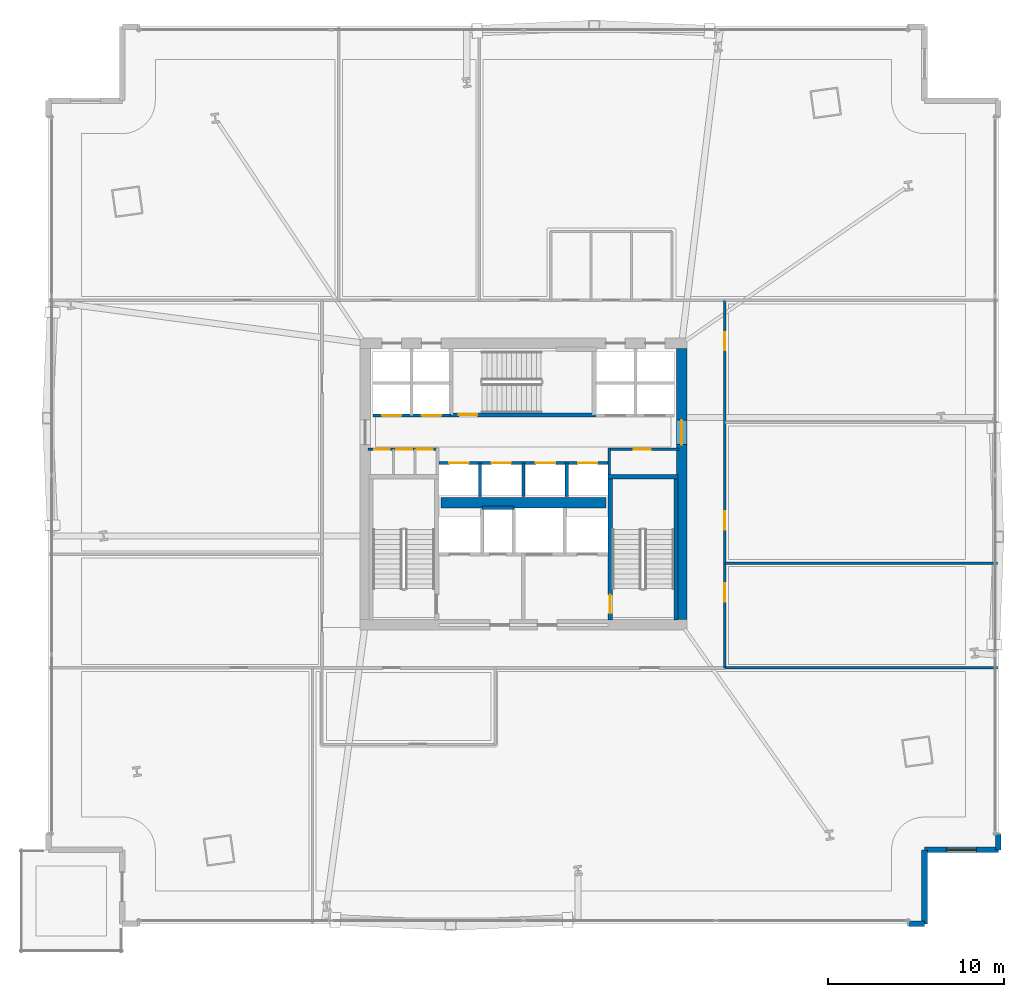
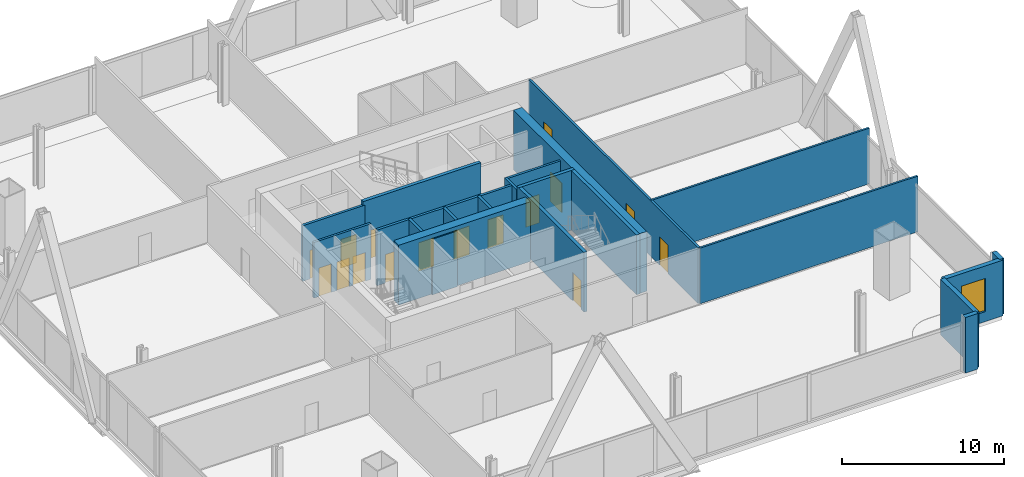
# One storey, part 21 of 29: 22 walls, 16 doors, 1 window, 17 openings.
"""IFC4 building model written with IfcOpenShell, lengths in metres."""

from ifc_helpers import new_model, si_unit, direction, frame, frame_2d, origin, place, context, subcontext, project, spatial, rectangle, extrude, material, layer, layer_set, type_object, element, fill, save


model = new_model("IFC4")

# Units and contexts
model_context = context("Model", 3, precision=1e-05, world=origin(), true_north=direction((0.0, 1.0)))
body_context = subcontext(model_context, "Body", "Model", "MODEL_VIEW")
ifc_project = project(units=[si_unit("LENGTHUNIT", "METRE"), si_unit("AREAUNIT", "SQUARE_METRE"), si_unit("VOLUMEUNIT", "CUBIC_METRE"), si_unit("PLANEANGLEUNIT", "RADIAN"), si_unit("MASSUNIT", "GRAM", prefix="KILO")], contexts=[model_context])

# Site, building, storey
site_placement = place(None, origin())
site = spatial("IfcSite", under=ifc_project, at=site_placement, CompositionType="ELEMENT")
building_placement = place(site_placement, origin())
building = spatial("IfcBuilding", under=site, at=building_placement, Name="Haldenkirk Collegiate Tower", CompositionType="ELEMENT")
storey_placement = place(building_placement, frame((0.0, 0.0, 28.199951171875)))
storey = spatial("IfcBuildingStorey", under=building, at=storey_placement, Name="L05", CompositionType="ELEMENT", Elevation=28.199951171875)

# Wall, opening, door
ifc_material_1 = material(Name="Concrete f'c 70 MPa", Category="concrete")
ifc_layer_1 = layer(ifc_material_1, 0.60009765625)
ifc_layer_set_1 = layer_set([ifc_layer_1], Name="Concrete f'c 70 MPa")
wall_type_1 = type_object("IfcWallType", Name="WL-CORE-600", PredefinedType="SHEAR", material=ifc_layer_set_1)
wall_1_placement = place(storey_placement, frame((45.0, 18.300048828125, 0.0), z_axis=(0.0, 0.0, 1.0), x_axis=(0.0, 1.0, 0.0)))
wall_1 = element("IfcWall", 1, at=wall_1_placement, inside=storey, type_object=wall_type_1, Name="L05 central core shear wall E", PredefinedType="SHEAR", context=body_context, shape_type="SweptSolid", body=[
    extrude(rectangle(XDim=15.39990234375, YDim=0.60009765625, at=frame_2d((7.699951171875, 0.0))), origin(), (0.0, 0.0, 1.0), 4.5),
])
opening_1_placement = place(wall_1_placement, frame((9.93994140625, 0.0, 0.0)))
opening_1 = element("IfcOpeningElement", 2, at=opening_1_placement, cuts=wall_1, Name="Opening D-03", PredefinedType="OPENING", context=body_context, shape_type="SweptSolid", body=[
    extrude(rectangle(XDim=1.39990234375, YDim=2.199951171875, at=frame_2d((0.699951171875, 1.10009765625))), frame((0.0, 0.31005859375, 0.0), z_axis=(0.0, -1.0, 0.0), x_axis=(1.0, 0.0, 0.0)), (0.0, 0.0, 1.0), 0.6201171875),
])
ifc_material_2 = material(Name="Galvanized fire-rated hollow steel door", Category="steel")
ifc_layer_2 = layer(ifc_material_2, 0.06005859375)
ifc_layer_set_2 = layer_set([ifc_layer_2], Name="Galvanized fire-rated hollow steel door")
door_type_1 = type_object("IfcDoorType", Name="DR-LOBBY-FD90-1400", OperationType="NOTDEFINED", PredefinedType="DOOR", material=ifc_layer_set_2)
door_1_placement = place(opening_1_placement, origin())
door_1 = element("IfcDoor", 3, at=door_1_placement, inside=storey, type_object=door_type_1, Name="L05 east lift lobby portal", OperationType="DOUBLE_DOOR_SINGLE_SWING", OverallHeight=2.199951171875, OverallWidth=1.39990234375, PredefinedType="DOOR", context=body_context, shape_type="SweptSolid", body=[
    extrude(rectangle(XDim=1.39990234375, YDim=2.199951171875, at=frame_2d((0.699951171875, 1.10009765625))), frame((0.0, 0.02490234375, 0.0), z_axis=(0.0, -1.0, 0.0), x_axis=(1.0, 0.0, 0.0)), (0.0, 0.0, 1.0), 0.050048828125),
])
fill(opening_1, door_1)

# Walls
wall_2_placement = place(storey_placement, frame((31.31005859375, 24.949951171875, 0.0), z_axis=(0.0, 0.0, 1.0), x_axis=(1.0, 0.0, 0.0)))
element("IfcWall", 4, at=wall_2_placement, inside=storey, type_object=wall_type_1, Name="L05 central core spine shear wall", PredefinedType="SHEAR", context=body_context, shape_type="SweptSolid", body=[
    extrude(rectangle(XDim=9.3798828125, YDim=0.60009765625, at=frame_2d((4.68994140625, 0.0))), origin(), (0.0, 0.0, 1.0), 4.5),
])
ifc_material_3 = material(Name="Precast concrete f'c 40 MPa", Category="concrete")
ifc_layer_3 = layer(ifc_material_3, 0.320068359375)
ifc_layer_set_3 = layer_set([ifc_layer_3], Name="Precast concrete f'c 40 MPa")
wall_type_2 = type_object("IfcWallType", Name="WL-EXT-TWR-320", PredefinedType="STANDARD", material=ifc_layer_set_3)
wall_3_placement = place(storey_placement, frame((58.800048828125, 1.0, 0.0), z_axis=(0.0, 0.0, 1.0), x_axis=(-1.0, 0.0, 0.0)))
element("IfcWall", 5, at=wall_3_placement, inside=storey, type_object=wall_type_2, Name="L05 precast corner pier SL", PredefinedType="STANDARD", context=body_context, shape_type="SweptSolid", body=[
    extrude(rectangle(XDim=0.900146484375, YDim=0.320068359375, at=frame_2d((0.4501953125, 0.0))), origin(), (0.0, 0.0, 1.0), 4.18994140625),
])
wall_4_placement = place(storey_placement, frame((58.800048828125, 5.199951171875, 0.0), z_axis=(0.0, 0.0, 1.0), x_axis=(0.0, -1.0, 0.0)))
element("IfcWall", 6, at=wall_4_placement, inside=storey, type_object=wall_type_2, Name="L05 bronze precast notch wall 02", PredefinedType="STANDARD", context=body_context, shape_type="SweptSolid", body=[
    extrude(rectangle(XDim=4.199951171875, YDim=0.320068359375, at=frame_2d((2.10009765625, 0.0))), origin(), (0.0, 0.0, 1.0), 4.18994140625),
])

# Wall, opening, window
wall_5_placement = place(storey_placement, frame((63.0, 5.199951171875, 0.0), z_axis=(0.0, 0.0, 1.0), x_axis=(-1.0, 0.0, 0.0)))
wall_5 = element("IfcWall", 7, at=wall_5_placement, inside=storey, type_object=wall_type_2, Name="L05 bronze precast notch wall 03", PredefinedType="STANDARD", context=body_context, shape_type="SweptSolid", body=[
    extrude(rectangle(XDim=4.199951171875, YDim=0.320068359375, at=frame_2d((2.10009765625, 0.0))), origin(), (0.0, 0.0, 1.0), 4.18994140625),
])
opening_2_placement = place(wall_5_placement, frame((1.25, 0.0, 0.75)))
opening_2 = element("IfcOpeningElement", 8, at=opening_2_placement, cuts=wall_5, Name="Opening W-09", PredefinedType="OPENING", context=body_context, shape_type="SweptSolid", body=[
    extrude(rectangle(XDim=1.699951171875, YDim=2.5, at=frame_2d((0.85009765625, 1.25))), frame((0.0, 0.169921875, 0.0), z_axis=(0.0, -1.0, 0.0), x_axis=(1.0, 0.0, 0.0)), (0.0, 0.0, 1.0), 0.340087890625),
])
ifc_material_4 = material(Name="Low-E argon triple insulating glass", Category="glass")
ifc_layer_4 = layer(ifc_material_4, 0.090087890625)
ifc_layer_set_4 = layer_set([ifc_layer_4], Name="Low-E argon triple insulating glass")
window_type = type_object("IfcWindowType", Name="WN-SG-1700X2500", PartitioningType="SINGLE_PANEL", PredefinedType="WINDOW", material=ifc_layer_set_4)
window_placement = place(opening_2_placement, origin())
window = element("IfcWindow", 9, at=window_placement, inside=storey, type_object=window_type, Name="L05 precast-frame academic window 2", OverallHeight=2.5, OverallWidth=1.699951171875, PartitioningType="SINGLE_PANEL", PredefinedType="WINDOW", context=body_context, shape_type="SweptSolid", body=[
    extrude(rectangle(XDim=1.699951171875, YDim=2.5, at=frame_2d((0.85009765625, 1.25))), frame((0.0, 0.030029296875, 0.0), z_axis=(0.0, -1.0, 0.0), x_axis=(1.0, 0.0, 0.0)), (0.0, 0.0, 1.0), 0.06005859375),
])
fill(opening_2, window)

# Wall
wall_6_placement = place(storey_placement, frame((63.0, 6.10009765625, 0.0), z_axis=(0.0, 0.0, 1.0), x_axis=(0.0, -1.0, 0.0)))
element("IfcWall", 10, at=wall_6_placement, inside=storey, type_object=wall_type_2, Name="L05 precast corner pier ER", PredefinedType="STANDARD", context=body_context, shape_type="SweptSolid", body=[
    extrude(rectangle(XDim=0.900146484375, YDim=0.320068359375, at=frame_2d((0.4501953125, 0.0))), origin(), (0.0, 0.0, 1.0), 4.18994140625),
])

# Wall, openings, doors
ifc_material_5 = material(Name="Acoustic fire-rated gypsum partition", Category="concrete")
ifc_layer_5 = layer(ifc_material_5, 0.159912109375)
ifc_layer_set_5 = layer_set([ifc_layer_5], Name="Acoustic fire-rated gypsum partition")
wall_type_3 = type_object("IfcWallType", Name="WL-INT-CORR-160", PredefinedType="PARTITIONING", material=ifc_layer_set_5)
wall_7_placement = place(storey_placement, frame((27.14990234375, 27.97998046875, 0.0), z_axis=(0.0, 0.0, 1.0), x_axis=(1.0, 0.0, 0.0)))
wall_7 = element("IfcWall", 11, at=wall_7_placement, inside=storey, type_object=wall_type_3, Name="L05 interior partition IW-L05-VCSW-N", PredefinedType="PARTITIONING", context=body_context, shape_type="SweptSolid", body=[
    extrude(rectangle(XDim=4.050048828125, YDim=0.159912109375, at=frame_2d((2.02490234375, 0.0))), origin(), (0.0, 0.0, 1.0), 4.18994140625),
])
opening_3_placement = place(wall_7_placement, frame((0.360107421875, 0.0, 0.0)))
opening_3 = element("IfcOpeningElement", 12, at=opening_3_placement, cuts=wall_7, Name="Opening D-11", PredefinedType="OPENING", context=body_context, shape_type="SweptSolid", body=[
    extrude(rectangle(XDim=0.89990234375, YDim=2.14990234375, at=frame_2d((0.449951171875, 1.074951171875))), frame((0.0, 0.08984375, 0.0), z_axis=(0.0, -1.0, 0.0), x_axis=(1.0, 0.0, 0.0)), (0.0, 0.0, 1.0), 0.179931640625),
])
opening_4_placement = place(wall_7_placement, frame((1.6298828125, 0.0, 0.0)))
opening_4 = element("IfcOpeningElement", 13, at=opening_4_placement, cuts=wall_7, Name="Opening D-11", PredefinedType="OPENING", context=body_context, shape_type="SweptSolid", body=[
    extrude(rectangle(XDim=0.89990234375, YDim=2.14990234375, at=frame_2d((0.449951171875, 1.074951171875))), frame((0.0, 0.08984375, 0.0), z_axis=(0.0, -1.0, 0.0), x_axis=(1.0, 0.0, 0.0)), (0.0, 0.0, 1.0), 0.179931640625),
])
opening_5_placement = place(wall_7_placement, frame((2.78759765625, 0.0, 0.0)))
opening_5 = element("IfcOpeningElement", 14, at=opening_5_placement, cuts=wall_7, Name="Opening D-11", PredefinedType="OPENING", context=body_context, shape_type="SweptSolid", body=[
    extrude(rectangle(XDim=0.89990234375, YDim=2.14990234375, at=frame_2d((0.449951171875, 1.074951171875))), frame((0.0, 0.08984375, 0.0), z_axis=(0.0, -1.0, 0.0), x_axis=(1.0, 0.0, 0.0)), (0.0, 0.0, 1.0), 0.179931640625),
])
ifc_material_6 = material(Name="Solid-core architectural oak fire door", Category="wood")
ifc_layer_6 = layer(ifc_material_6, 0.06005859375)
ifc_layer_set_6 = layer_set([ifc_layer_6], Name="Solid-core architectural oak fire door")
door_type_2 = type_object("IfcDoorType", Name="DR-INT-FD60-900", OperationType="NOTDEFINED", PredefinedType="DOOR", material=ifc_layer_set_6)
door_2_placement = place(opening_3_placement, origin())
door_2 = element("IfcDoor", 15, at=door_2_placement, inside=storey, type_object=door_type_2, Name="L05 core study booth door", OperationType="SINGLE_SWING_RIGHT", OverallHeight=2.14990234375, OverallWidth=0.89990234375, PredefinedType="DOOR", context=body_context, shape_type="SweptSolid", body=[
    extrude(rectangle(XDim=0.89990234375, YDim=2.14990234375, at=frame_2d((0.449951171875, 1.074951171875))), frame((0.0, 0.02490234375, 0.0), z_axis=(0.0, -1.0, 0.0), x_axis=(1.0, 0.0, 0.0)), (0.0, 0.0, 1.0), 0.050048828125),
])
fill(opening_3, door_2)
door_3_placement = place(opening_4_placement, origin())
door_3 = element("IfcDoor", 16, at=door_3_placement, inside=storey, type_object=door_type_2, Name="L05 core cleaners door", OperationType="SINGLE_SWING_LEFT", OverallHeight=2.14990234375, OverallWidth=0.89990234375, PredefinedType="DOOR", context=body_context, shape_type="SweptSolid", body=[
    extrude(rectangle(XDim=0.89990234375, YDim=2.14990234375, at=frame_2d((0.449951171875, 1.074951171875))), frame((0.0, 0.02490234375, 0.0), z_axis=(0.0, -1.0, 0.0), x_axis=(1.0, 0.0, 0.0)), (0.0, 0.0, 1.0), 0.050048828125),
])
fill(opening_4, door_3)
door_4_placement = place(opening_5_placement, origin())
door_4 = element("IfcDoor", 17, at=door_4_placement, inside=storey, type_object=door_type_2, Name="L05 core stationery door", OperationType="SINGLE_SWING_RIGHT", OverallHeight=2.14990234375, OverallWidth=0.89990234375, PredefinedType="DOOR", context=body_context, shape_type="SweptSolid", body=[
    extrude(rectangle(XDim=0.89990234375, YDim=2.14990234375, at=frame_2d((0.449951171875, 1.074951171875))), frame((0.0, 0.02490234375, 0.0), z_axis=(0.0, -1.0, 0.0), x_axis=(1.0, 0.0, 0.0)), (0.0, 0.0, 1.0), 0.050048828125),
])
fill(opening_5, door_4)

# Wall, opening, door
wall_8_placement = place(storey_placement, frame((40.800048828125, 27.97998046875, 0.0), z_axis=(0.0, 0.0, 1.0), x_axis=(1.0, 0.0, 0.0)))
wall_8 = element("IfcWall", 18, at=wall_8_placement, inside=storey, type_object=wall_type_3, Name="L05 interior partition IW-L05-VCSE-N", PredefinedType="PARTITIONING", context=body_context, shape_type="SweptSolid", body=[
    extrude(rectangle(XDim=4.050048828125, YDim=0.159912109375, at=frame_2d((2.02490234375, 0.0))), origin(), (0.0, 0.0, 1.0), 4.18994140625),
])
opening_6_placement = place(wall_8_placement, frame((1.47509765625, 0.0, 0.0)))
opening_6 = element("IfcOpeningElement", 19, at=opening_6_placement, cuts=wall_8, Name="Opening D-10", PredefinedType="OPENING", context=body_context, shape_type="SweptSolid", body=[
    extrude(rectangle(XDim=0.949951171875, YDim=2.14990234375, at=frame_2d((0.47509765625, 1.074951171875))), frame((0.0, 0.08984375, 0.0), z_axis=(0.0, -1.0, 0.0), x_axis=(1.0, 0.0, 0.0)), (0.0, 0.0, 1.0), 0.179931640625),
])
ifc_layer_7 = layer(ifc_material_6, 0.06005859375)
ifc_layer_set_7 = layer_set([ifc_layer_7], Name="Solid-core architectural oak fire door")
door_type_3 = type_object("IfcDoorType", Name="DR-INT-FD60-950", OperationType="NOTDEFINED", PredefinedType="DOOR", material=ifc_layer_set_7)
door_5_placement = place(opening_6_placement, origin())
door_5 = element("IfcDoor", 20, at=door_5_placement, inside=storey, type_object=door_type_3, Name="L05 core archive vault door", OperationType="SINGLE_SWING_LEFT", OverallHeight=2.14990234375, OverallWidth=0.949951171875, PredefinedType="DOOR", context=body_context, shape_type="SweptSolid", body=[
    extrude(rectangle(XDim=0.949951171875, YDim=2.14990234375, at=frame_2d((0.47509765625, 1.074951171875))), frame((0.0, 0.02490234375, 0.0), z_axis=(0.0, -1.0, 0.0), x_axis=(1.0, 0.0, 0.0)), (0.0, 0.0, 1.0), 0.050048828125),
])
fill(opening_6, door_5)

# Wall
wall_9_placement = place(storey_placement, frame((40.8798828125, 26.5400390625, 0.0), z_axis=(0.0, 0.0, 1.0), x_axis=(0.0, 1.0, 0.0)))
element("IfcWall", 21, at=wall_9_placement, inside=storey, type_object=wall_type_3, Name="L05 interior partition IW-L05-VCSE-W", PredefinedType="PARTITIONING", context=body_context, shape_type="SweptSolid", body=[
    extrude(rectangle(XDim=1.510009765625, YDim=0.159912109375, at=frame_2d((0.7548828125, 0.0))), origin(), (0.0, 0.0, 1.0), 4.18994140625),
])

# Wall, openings, doors
wall_10_placement = place(storey_placement, frame((47.449951171875, 15.550048828125, 0.0), z_axis=(0.0, 0.0, 1.0), x_axis=(0.0, 1.0, 0.0)))
wall_10 = element("IfcWall", 22, at=wall_10_placement, inside=storey, type_object=wall_type_3, Name="L05 interior partition IW-L05-CE", PredefinedType="PARTITIONING", context=body_context, shape_type="SweptSolid", body=[
    extrude(rectangle(XDim=20.89990234375, YDim=0.159912109375, at=frame_2d((10.449951171875, 0.0))), origin(), (0.0, 0.0, 1.0), 4.18994140625),
])
opening_7_placement = place(wall_10_placement, frame((3.7470703125, 0.0, 0.0)))
opening_7 = element("IfcOpeningElement", 23, at=opening_7_placement, cuts=wall_10, Name="Opening D-09", PredefinedType="OPENING", context=body_context, shape_type="SweptSolid", body=[
    extrude(rectangle(XDim=1.050048828125, YDim=2.14990234375, at=frame_2d((0.52490234375, 1.074951171875))), frame((0.0, 0.08984375, 0.0), z_axis=(0.0, -1.0, 0.0), x_axis=(1.0, 0.0, 0.0)), (0.0, 0.0, 1.0), 0.179931640625),
])
opening_8_placement = place(wall_10_placement, frame((7.864990234375, 0.0, 0.0)))
opening_8 = element("IfcOpeningElement", 24, at=opening_8_placement, cuts=wall_10, Name="Opening D-09", PredefinedType="OPENING", context=body_context, shape_type="SweptSolid", body=[
    extrude(rectangle(XDim=1.050048828125, YDim=2.14990234375, at=frame_2d((0.52490234375, 1.074951171875))), frame((0.0, 0.08984375, 0.0), z_axis=(0.0, -1.0, 0.0), x_axis=(1.0, 0.0, 0.0)), (0.0, 0.0, 1.0), 0.179931640625),
])
opening_9_placement = place(wall_10_placement, frame((18.044921875, 0.0, 0.0)))
opening_9 = element("IfcOpeningElement", 25, at=opening_9_placement, cuts=wall_10, Name="Opening D-09", PredefinedType="OPENING", context=body_context, shape_type="SweptSolid", body=[
    extrude(rectangle(XDim=1.050048828125, YDim=2.14990234375, at=frame_2d((0.52490234375, 1.074951171875))), frame((0.0, 0.08984375, 0.0), z_axis=(0.0, -1.0, 0.0), x_axis=(1.0, 0.0, 0.0)), (0.0, 0.0, 1.0), 0.179931640625),
])
ifc_layer_8 = layer(ifc_material_6, 0.06005859375)
ifc_layer_set_8 = layer_set([ifc_layer_8], Name="Solid-core architectural oak fire door")
door_type_4 = type_object("IfcDoorType", Name="DR-INT-FD60-1050", OperationType="NOTDEFINED", PredefinedType="DOOR", material=ifc_layer_set_8)
door_6_placement = place(opening_7_placement, origin())
door_6 = element("IfcDoor", 26, at=door_6_placement, inside=storey, type_object=door_type_4, Name="L05 Senior Fellow Office 8 door", OperationType="SINGLE_SWING_RIGHT", OverallHeight=2.14990234375, OverallWidth=1.050048828125, PredefinedType="DOOR", context=body_context, shape_type="SweptSolid", body=[
    extrude(rectangle(XDim=1.050048828125, YDim=2.14990234375, at=frame_2d((0.52490234375, 1.074951171875))), frame((0.0, 0.02490234375, 0.0), z_axis=(0.0, -1.0, 0.0), x_axis=(1.0, 0.0, 0.0)), (0.0, 0.0, 1.0), 0.050048828125),
])
fill(opening_7, door_6)
door_7_placement = place(opening_8_placement, origin())
door_7 = element("IfcDoor", 27, at=door_7_placement, inside=storey, type_object=door_type_4, Name="L05 Research Office 9 door", OperationType="SINGLE_SWING_LEFT", OverallHeight=2.14990234375, OverallWidth=1.050048828125, PredefinedType="DOOR", context=body_context, shape_type="SweptSolid", body=[
    extrude(rectangle(XDim=1.050048828125, YDim=2.14990234375, at=frame_2d((0.52490234375, 1.074951171875))), frame((0.0, 0.02490234375, 0.0), z_axis=(0.0, -1.0, 0.0), x_axis=(1.0, 0.0, 0.0)), (0.0, 0.0, 1.0), 0.050048828125),
])
fill(opening_8, door_7)
door_8_placement = place(opening_9_placement, origin())
door_8 = element("IfcDoor", 28, at=door_8_placement, inside=storey, type_object=door_type_4, Name="L05 Departmental Office 10 door", OperationType="SINGLE_SWING_RIGHT", OverallHeight=2.14990234375, OverallWidth=1.050048828125, PredefinedType="DOOR", context=body_context, shape_type="SweptSolid", body=[
    extrude(rectangle(XDim=1.050048828125, YDim=2.14990234375, at=frame_2d((0.52490234375, 1.074951171875))), frame((0.0, 0.02490234375, 0.0), z_axis=(0.0, -1.0, 0.0), x_axis=(1.0, 0.0, 0.0)), (0.0, 0.0, 1.0), 0.050048828125),
])
fill(opening_9, door_8)

# Walls
ifc_layer_9 = layer(ifc_material_5, 0.139892578125)
ifc_layer_set_9 = layer_set([ifc_layer_9], Name="Acoustic fire-rated gypsum partition")
wall_type_4 = type_object("IfcWallType", Name="WL-INT-DIV-140", PredefinedType="PARTITIONING", material=ifc_layer_set_9)
for number, where, z_axis, x_axis, name in (
    (29, (47.449951171875, 15.550048828125, 0.0), (0.0, 0.0, 1.0), (1.0, 0.0, 0.0), "L05 interior partition IW-L05-BES"),
    (30, (47.449951171875, 21.5, 0.0), (0.0, 0.0, 1.0), (1.0, 0.0, 0.0), "L05 interior partition IW-L05-RE1"),
):
    element("IfcWall", number, at=place(storey_placement, frame(where, z_axis=z_axis, x_axis=x_axis)), inside=storey, type_object=wall_type_4, Name=name, PredefinedType="PARTITIONING", context=body_context, shape_type="SweptSolid", body=[
        extrude(rectangle(XDim=15.510009765625, YDim=0.139892578125, at=frame_2d((7.7548828125, 0.0))), origin(), (0.0, 0.0, 1.0), 4.18994140625),
    ])
ifc_material_7 = material(Name="Fire-rated gypsum shaftboard assembly", Category="concrete")
ifc_layer_10 = layer(ifc_material_7, 0.179931640625)
ifc_layer_set_10 = layer_set([ifc_layer_10], Name="Fire-rated gypsum shaftboard assembly")
wall_type_5 = type_object("IfcWallType", Name="WL-INT-SHAFT-180", PredefinedType="PARTITIONING", material=ifc_layer_set_10)
wall_11_placement = place(storey_placement, frame((33.64990234375, 24.64990234375, 0.0), z_axis=(0.0, 0.0, 1.0), x_axis=(1.0, 0.0, 0.0)))
element("IfcWall", 31, at=wall_11_placement, inside=storey, type_object=wall_type_5, Name="L05 interior partition IW-L05-RSRN", PredefinedType="PARTITIONING", context=body_context, shape_type="SweptSolid", body=[
    extrude(rectangle(XDim=1.800048828125, YDim=0.179931640625, at=frame_2d((0.89990234375, 0.0))), origin(), (0.0, 0.0, 1.0), 4.18994140625),
])

# Wall, openings, doors
wall_12_placement = place(storey_placement, frame((27.449951171875, 29.89990234375, 0.0), z_axis=(0.0, 0.0, 1.0), x_axis=(1.0, 0.0, 0.0)))
wall_12 = element("IfcWall", 32, at=wall_12_placement, inside=storey, type_object=wall_type_5, Name="L05 interior partition IW-L05-PLS", PredefinedType="PARTITIONING", context=body_context, shape_type="SweptSolid", body=[
    extrude(rectangle(XDim=4.429931640625, YDim=0.179931640625, at=frame_2d((2.21484375, 0.0))), origin(), (0.0, 0.0, 1.0), 4.18994140625),
])
opening_10_placement = place(wall_12_placement, frame((0.514892578125, 0.0, 0.0)))
opening_10 = element("IfcOpeningElement", 33, at=opening_10_placement, cuts=wall_12, Name="Opening LD-11", PredefinedType="OPENING", context=body_context, shape_type="SweptSolid", body=[
    extrude(rectangle(XDim=1.10009765625, YDim=2.14990234375, at=frame_2d((0.550048828125, 1.074951171875))), frame((0.0, 0.099853515625, 0.0), z_axis=(0.0, -1.0, 0.0), x_axis=(1.0, 0.0, 0.0)), (0.0, 0.0, 1.0), 0.199951171875),
])
opening_11_placement = place(wall_12_placement, frame((2.764892578125, 0.0, 0.0)))
opening_11 = element("IfcOpeningElement", 34, at=opening_11_placement, cuts=wall_12, Name="Opening LD-11", PredefinedType="OPENING", context=body_context, shape_type="SweptSolid", body=[
    extrude(rectangle(XDim=1.10009765625, YDim=2.14990234375, at=frame_2d((0.550048828125, 1.074951171875))), frame((0.0, 0.099853515625, 0.0), z_axis=(0.0, -1.0, 0.0), x_axis=(1.0, 0.0, 0.0)), (0.0, 0.0, 1.0), 0.199951171875),
])
ifc_material_8 = material(Name="Brushed architectural stainless steel", Category="steel")
ifc_layer_11 = layer(ifc_material_8, 0.06005859375)
ifc_layer_set_11 = layer_set([ifc_layer_11], Name="Brushed architectural stainless steel")
door_type_5 = type_object("IfcDoorType", Name="LD-PASS-1100", OperationType="NOTDEFINED", PredefinedType="DOOR", material=ifc_layer_set_11)
door_9_placement = place(opening_10_placement, origin())
door_9 = element("IfcDoor", 35, at=door_9_placement, inside=storey, type_object=door_type_5, Name="L05 Elevator PL1 sliding landing door", OperationType="SLIDING_TO_LEFT", OverallHeight=2.14990234375, OverallWidth=1.10009765625, PredefinedType="DOOR", context=body_context, shape_type="SweptSolid", body=[
    extrude(rectangle(XDim=1.10009765625, YDim=2.14990234375, at=frame_2d((0.550048828125, 1.074951171875))), frame((0.0, 0.02490234375, 0.0), z_axis=(0.0, -1.0, 0.0), x_axis=(1.0, 0.0, 0.0)), (0.0, 0.0, 1.0), 0.050048828125),
])
fill(opening_10, door_9)
door_10_placement = place(opening_11_placement, origin())
door_10 = element("IfcDoor", 36, at=door_10_placement, inside=storey, type_object=door_type_5, Name="L05 Elevator PL2 sliding landing door", OperationType="SLIDING_TO_LEFT", OverallHeight=2.14990234375, OverallWidth=1.10009765625, PredefinedType="DOOR", context=body_context, shape_type="SweptSolid", body=[
    extrude(rectangle(XDim=1.10009765625, YDim=2.14990234375, at=frame_2d((0.550048828125, 1.074951171875))), frame((0.0, 0.02490234375, 0.0), z_axis=(0.0, -1.0, 0.0), x_axis=(1.0, 0.0, 0.0)), (0.0, 0.0, 1.0), 0.050048828125),
])
fill(opening_11, door_10)

wall_13_placement = place(storey_placement, frame((31.199951171875, 27.199951171875, 0.0), z_axis=(0.0, 0.0, 1.0), x_axis=(1.0, 0.0, 0.0)))
wall_13 = element("IfcWall", 37, at=wall_13_placement, inside=storey, type_object=wall_type_5, Name="L05 interior partition IW-L05-PHN", PredefinedType="PARTITIONING", context=body_context, shape_type="SweptSolid", body=[
    extrude(rectangle(XDim=9.60009765625, YDim=0.179931640625, at=frame_2d((4.800048828125, 0.0))), origin(), (0.0, 0.0, 1.0), 4.18994140625),
])
opening_12_placement = place(wall_13_placement, frame((0.590087890625, 0.0, 0.0)))
opening_12 = element("IfcOpeningElement", 38, at=opening_12_placement, cuts=wall_13, Name="Opening LD-11", PredefinedType="OPENING", context=body_context, shape_type="SweptSolid", body=[
    extrude(rectangle(XDim=1.10009765625, YDim=2.14990234375, at=frame_2d((0.550048828125, 1.074951171875))), frame((0.0, 0.099853515625, 0.0), z_axis=(0.0, -1.0, 0.0), x_axis=(1.0, 0.0, 0.0)), (0.0, 0.0, 1.0), 0.199951171875),
])
opening_13_placement = place(wall_13_placement, frame((2.989990234375, 0.0, 0.0)))
opening_13 = element("IfcOpeningElement", 39, at=opening_13_placement, cuts=wall_13, Name="Opening LD-11", PredefinedType="OPENING", context=body_context, shape_type="SweptSolid", body=[
    extrude(rectangle(XDim=1.10009765625, YDim=2.14990234375, at=frame_2d((0.550048828125, 1.074951171875))), frame((0.0, 0.099853515625, 0.0), z_axis=(0.0, -1.0, 0.0), x_axis=(1.0, 0.0, 0.0)), (0.0, 0.0, 1.0), 0.199951171875),
])
opening_14_placement = place(wall_13_placement, frame((5.510009765625, 0.0, 0.0)))
opening_14 = element("IfcOpeningElement", 40, at=opening_14_placement, cuts=wall_13, Name="Opening LD-11", PredefinedType="OPENING", context=body_context, shape_type="SweptSolid", body=[
    extrude(rectangle(XDim=1.10009765625, YDim=2.14990234375, at=frame_2d((0.550048828125, 1.074951171875))), frame((0.0, 0.099853515625, 0.0), z_axis=(0.0, -1.0, 0.0), x_axis=(1.0, 0.0, 0.0)), (0.0, 0.0, 1.0), 0.199951171875),
])
opening_15_placement = place(wall_13_placement, frame((7.909912109375, 0.0, 0.0)))
opening_15 = element("IfcOpeningElement", 41, at=opening_15_placement, cuts=wall_13, Name="Opening LD-11", PredefinedType="OPENING", context=body_context, shape_type="SweptSolid", body=[
    extrude(rectangle(XDim=1.10009765625, YDim=2.14990234375, at=frame_2d((0.550048828125, 1.074951171875))), frame((0.0, 0.099853515625, 0.0), z_axis=(0.0, -1.0, 0.0), x_axis=(1.0, 0.0, 0.0)), (0.0, 0.0, 1.0), 0.199951171875),
])
door_11_placement = place(opening_12_placement, origin())
door_11 = element("IfcDoor", 42, at=door_11_placement, inside=storey, type_object=door_type_5, Name="L05 Elevator PH1 sliding landing door", OperationType="SLIDING_TO_LEFT", OverallHeight=2.14990234375, OverallWidth=1.10009765625, PredefinedType="DOOR", context=body_context, shape_type="SweptSolid", body=[
    extrude(rectangle(XDim=1.10009765625, YDim=2.14990234375, at=frame_2d((0.550048828125, 1.074951171875))), frame((0.0, 0.02490234375, 0.0), z_axis=(0.0, -1.0, 0.0), x_axis=(1.0, 0.0, 0.0)), (0.0, 0.0, 1.0), 0.050048828125),
])
fill(opening_12, door_11)
door_12_placement = place(opening_13_placement, origin())
door_12 = element("IfcDoor", 43, at=door_12_placement, inside=storey, type_object=door_type_5, Name="L05 Elevator PH2 sliding landing door", OperationType="SLIDING_TO_LEFT", OverallHeight=2.14990234375, OverallWidth=1.10009765625, PredefinedType="DOOR", context=body_context, shape_type="SweptSolid", body=[
    extrude(rectangle(XDim=1.10009765625, YDim=2.14990234375, at=frame_2d((0.550048828125, 1.074951171875))), frame((0.0, 0.02490234375, 0.0), z_axis=(0.0, -1.0, 0.0), x_axis=(1.0, 0.0, 0.0)), (0.0, 0.0, 1.0), 0.050048828125),
])
fill(opening_13, door_12)
door_13_placement = place(opening_14_placement, origin())
door_13 = element("IfcDoor", 44, at=door_13_placement, inside=storey, type_object=door_type_5, Name="L05 Elevator PH3 sliding landing door", OperationType="SLIDING_TO_LEFT", OverallHeight=2.14990234375, OverallWidth=1.10009765625, PredefinedType="DOOR", context=body_context, shape_type="SweptSolid", body=[
    extrude(rectangle(XDim=1.10009765625, YDim=2.14990234375, at=frame_2d((0.550048828125, 1.074951171875))), frame((0.0, 0.02490234375, 0.0), z_axis=(0.0, -1.0, 0.0), x_axis=(1.0, 0.0, 0.0)), (0.0, 0.0, 1.0), 0.050048828125),
])
fill(opening_14, door_13)
door_14_placement = place(opening_15_placement, origin())
door_14 = element("IfcDoor", 45, at=door_14_placement, inside=storey, type_object=door_type_5, Name="L05 Elevator PH4 sliding landing door", OperationType="SLIDING_TO_LEFT", OverallHeight=2.14990234375, OverallWidth=1.10009765625, PredefinedType="DOOR", context=body_context, shape_type="SweptSolid", body=[
    extrude(rectangle(XDim=1.10009765625, YDim=2.14990234375, at=frame_2d((0.550048828125, 1.074951171875))), frame((0.0, 0.02490234375, 0.0), z_axis=(0.0, -1.0, 0.0), x_axis=(1.0, 0.0, 0.0)), (0.0, 0.0, 1.0), 0.050048828125),
])
fill(opening_15, door_14)

# Walls
for number, where, z_axis, x_axis, name in (
    (46, (33.5400390625, 25.300048828125, 0.0), (0.0, 0.0, 1.0), (0.0, 1.0, 0.0), "L05 interior partition IW-L05-PHV1"),
    (47, (36.0, 25.300048828125, 0.0), (0.0, 0.0, 1.0), (0.0, 1.0, 0.0), "L05 interior partition IW-L05-PHV2"),
    (48, (38.4599609375, 25.300048828125, 0.0), (0.0, 0.0, 1.0), (0.0, 1.0, 0.0), "L05 interior partition IW-L05-PHV3"),
):
    element("IfcWall", number, at=place(storey_placement, frame(where, z_axis=z_axis, x_axis=x_axis)), inside=storey, type_object=wall_type_5, Name=name, PredefinedType="PARTITIONING", context=body_context, shape_type="SweptSolid", body=[
        extrude(rectangle(XDim=1.89990234375, YDim=0.179931640625, at=frame_2d((0.949951171875, 0.0))), origin(), (0.0, 0.0, 1.0), 4.18994140625),
    ])

# Wall, opening, door
ifc_material_9 = material(Name="Concrete f'c 55 MPa", Category="concrete")
ifc_layer_12 = layer(ifc_material_9, 0.239990234375)
ifc_layer_set_12 = layer_set([ifc_layer_12], Name="Concrete f'c 55 MPa")
wall_type_6 = type_object("IfcWallType", Name="WL-SHAFT-240", PredefinedType="SHEAR", material=ifc_layer_set_12)
wall_14_placement = place(storey_placement, frame((40.929931640625, 18.280029296875, 0.0), z_axis=(0.0, 0.0, 1.0), x_axis=(0.0, 1.0, 0.0)))
wall_14 = element("IfcWall", 49, at=wall_14_placement, inside=storey, type_object=wall_type_6, Name="L05 stair shaft shear wall SW-L05-ST2W", PredefinedType="SHEAR", context=body_context, shape_type="SweptSolid", body=[
    extrude(rectangle(XDim=8.260009765625, YDim=0.239990234375, at=frame_2d((4.1298828125, 0.0))), origin(), (0.0, 0.0, 1.0), 4.5),
])
opening_16_placement = place(wall_14_placement, frame((0.364990234375, 0.0, 0.0)))
opening_16 = element("IfcOpeningElement", 50, at=opening_16_placement, cuts=wall_14, Name="Opening D-01", PredefinedType="OPENING", context=body_context, shape_type="SweptSolid", body=[
    extrude(rectangle(XDim=1.050048828125, YDim=2.14990234375, at=frame_2d((0.52490234375, 1.074951171875))), frame((0.0, 0.1298828125, 0.0), z_axis=(0.0, -1.0, 0.0), x_axis=(1.0, 0.0, 0.0)), (0.0, 0.0, 1.0), 0.260009765625),
])
ifc_layer_13 = layer(ifc_material_2, 0.06005859375)
ifc_layer_set_13 = layer_set([ifc_layer_13], Name="Galvanized fire-rated hollow steel door")
door_type_6 = type_object("IfcDoorType", Name="DR-STAIR-FD90-1050", OperationType="NOTDEFINED", PredefinedType="DOOR", material=ifc_layer_set_13)
door_15_placement = place(opening_16_placement, origin())
door_15 = element("IfcDoor", 51, at=door_15_placement, inside=storey, type_object=door_type_6, Name="L05 Stair 2 door", OperationType="SINGLE_SWING_RIGHT", OverallHeight=2.14990234375, OverallWidth=1.050048828125, PredefinedType="DOOR", context=body_context, shape_type="SweptSolid", body=[
    extrude(rectangle(XDim=1.050048828125, YDim=2.14990234375, at=frame_2d((0.52490234375, 1.074951171875))), frame((0.0, 0.02490234375, 0.0), z_axis=(0.0, -1.0, 0.0), x_axis=(1.0, 0.0, 0.0)), (0.0, 0.0, 1.0), 0.050048828125),
])
fill(opening_16, door_15)

# Walls
wall_15_placement = place(storey_placement, frame((40.81005859375, 26.419921875, 0.0), z_axis=(0.0, 0.0, 1.0), x_axis=(1.0, 0.0, 0.0)))
element("IfcWall", 52, at=wall_15_placement, inside=storey, type_object=wall_type_6, Name="L05 stair shaft shear wall SW-L05-ST2N", PredefinedType="SHEAR", context=body_context, shape_type="SweptSolid", body=[
    extrude(rectangle(XDim=3.97998046875, YDim=0.239990234375, at=frame_2d((1.989990234375, 0.0))), origin(), (0.0, 0.0, 1.0), 4.5),
])
wall_16_placement = place(storey_placement, frame((44.669921875, 18.280029296875, 0.0), z_axis=(0.0, 0.0, 1.0), x_axis=(0.0, 1.0, 0.0)))
element("IfcWall", 53, at=wall_16_placement, inside=storey, type_object=wall_type_6, Name="L05 stair shaft shear wall SW-L05-ST2E", PredefinedType="SHEAR", context=body_context, shape_type="SweptSolid", body=[
    extrude(rectangle(XDim=8.260009765625, YDim=0.239990234375, at=frame_2d((4.1298828125, 0.0))), origin(), (0.0, 0.0, 1.0), 4.5),
])

# Wall, opening, door
wall_17_placement = place(storey_placement, frame((31.760009765625, 29.929931640625, 0.0), z_axis=(0.0, 0.0, 1.0), x_axis=(1.0, 0.0, 0.0)))
wall_17 = element("IfcWall", 54, at=wall_17_placement, inside=storey, type_object=wall_type_6, Name="L05 stair shaft shear wall SW-L05-ST3S", PredefinedType="SHEAR", context=body_context, shape_type="SweptSolid", body=[
    extrude(rectangle(XDim=8.3798828125, YDim=0.239990234375, at=frame_2d((4.18994140625, 0.0))), origin(), (0.0, 0.0, 1.0), 4.5),
])
opening_17_placement = place(wall_17_placement, frame((0.56494140625, 0.0, 0.0)))
opening_17 = element("IfcOpeningElement", 55, at=opening_17_placement, cuts=wall_17, Name="Opening D-01", PredefinedType="OPENING", context=body_context, shape_type="SweptSolid", body=[
    extrude(rectangle(XDim=1.050048828125, YDim=2.14990234375, at=frame_2d((0.52490234375, 1.074951171875))), frame((0.0, 0.1298828125, 0.0), z_axis=(0.0, -1.0, 0.0), x_axis=(1.0, 0.0, 0.0)), (0.0, 0.0, 1.0), 0.260009765625),
])
door_16_placement = place(opening_17_placement, origin())
door_16 = element("IfcDoor", 56, at=door_16_placement, inside=storey, type_object=door_type_6, Name="L05 lift lobby Stair 3 door", OperationType="SINGLE_SWING_RIGHT", OverallHeight=2.14990234375, OverallWidth=1.050048828125, PredefinedType="DOOR", context=body_context, shape_type="SweptSolid", body=[
    extrude(rectangle(XDim=1.050048828125, YDim=2.14990234375, at=frame_2d((0.52490234375, 1.074951171875))), frame((0.0, 0.02490234375, 0.0), z_axis=(0.0, -1.0, 0.0), x_axis=(1.0, 0.0, 0.0)), (0.0, 0.0, 1.0), 0.050048828125),
])
fill(opening_17, door_16)

save(model, "model.ifc")
